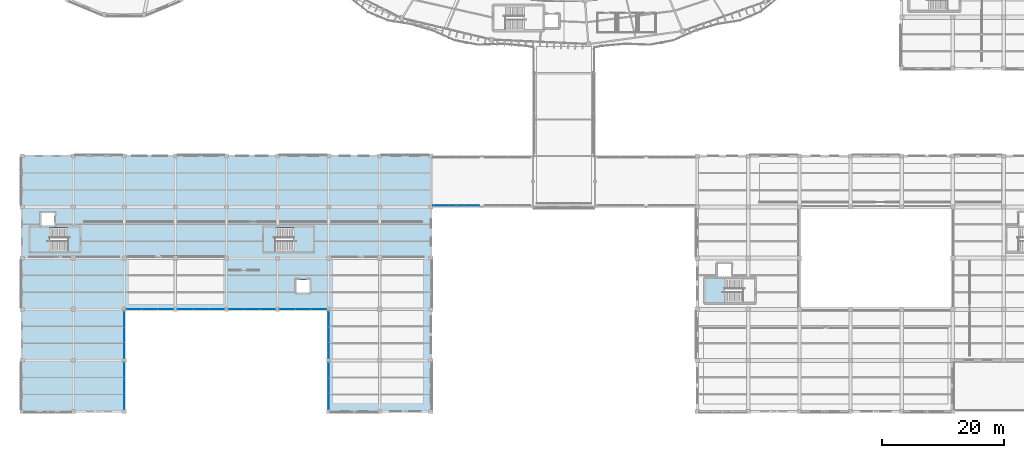
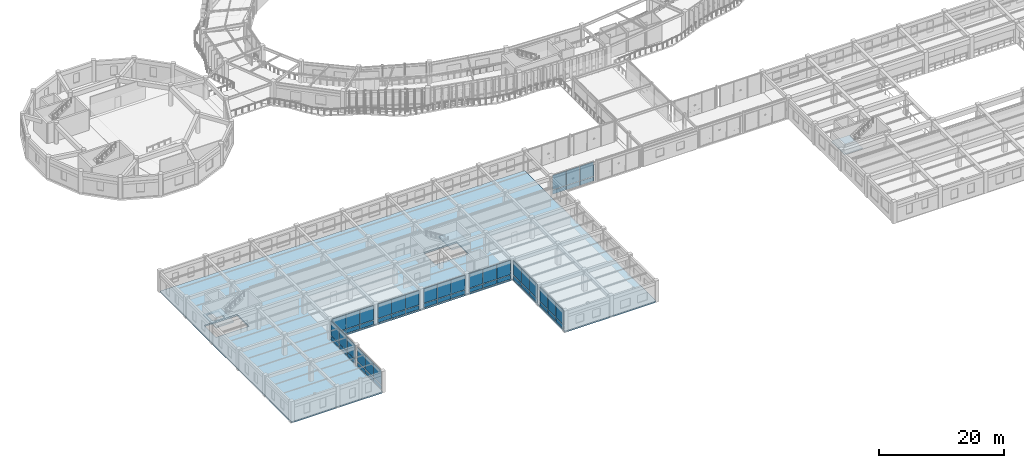
# One storey, part 111 of 152: 54 plates, 4 slabs, 12 elements without a shape of their own.
"""IFC4 building model written with IfcOpenShell, lengths in metres."""

import ifcopenshell
import ifcopenshell.guid

model = None  # the IFC model being written
_history = None  # IfcOwnerHistory: only IFC2X3 demands one
_inside = {}  # id of a spatial element -> (the spatial element, [elements in it])
_under = {}  # id of a project, library or spatial element -> (it, [spatial elements below it])
_declared = {}  # id of a project -> (the project, [libraries it declares])
_typed = {}  # id of a type object -> (the type object, [elements of that type])
_made_of = {}  # id of a material, layer set ... -> (it, [elements and type objects made of it])


def new_model(schema):
    """Start an empty IFC model of exactly this schema.

    Asked for "IFC4X3", IfcOpenShell would pick the latest addendum, in which some entities
    have other attributes; the version numbers below select the first issue.
    IFC2X3 requires an IfcOwnerHistory on every rooted entity: one is made here for all.
    """
    global model, _history
    if schema == "IFC4X3":
        model = ifcopenshell.file(schema_version=(4, 3, 0, 0))
    else:
        model = ifcopenshell.file(schema=schema)
    _inside.clear()
    _under.clear()
    _declared.clear()
    _typed.clear()
    _made_of.clear()
    _history = None
    if model.schema == "IFC2X3":
        org = make("IfcOrganization", Name="unknown")
        user = make(
            "IfcPersonAndOrganization",
            ThePerson=make("IfcPerson", FamilyName="unknown"),
            TheOrganization=org,
        )
        app = make(
            "IfcApplication",
            ApplicationDeveloper=org,
            Version="unknown",
            ApplicationFullName="unknown",
            ApplicationIdentifier="unknown",
        )
        _history = make(
            "IfcOwnerHistory",
            OwningUser=user,
            OwningApplication=app,
            ChangeAction="ADDED",
            CreationDate=0,
        )
    return model


def make(cls, **values):
    """One entity of the class cls with the attributes given. An attribute that is None is left unset."""
    return model.create_entity(
        cls, **{name: value for name, value in values.items() if value is not None}
    )


def rooted(cls, **values):
    """An entity with a GlobalId (a new one), such as an element, a storey or a relation."""
    return make(cls, GlobalId=ifcopenshell.guid.new(), OwnerHistory=_history, **values)


def si_unit(unit_type, name, prefix=None):
    """IfcSIUnit, for example si_unit("LENGTHUNIT", "METRE", prefix="MILLI")."""
    return make("IfcSIUnit", UnitType=unit_type, Prefix=prefix, Name=name)


def assignment(units):
    """IfcUnitAssignment: the units of a project."""
    return None if units is None else make("IfcUnitAssignment", Units=units)


def point(xyz):
    """IfcCartesianPoint."""
    return None if xyz is None else make("IfcCartesianPoint", Coordinates=xyz)


def direction(xyz):
    """IfcDirection."""
    return None if xyz is None else make("IfcDirection", DirectionRatios=xyz)


def frame(location, z_axis=None, x_axis=None):
    """IfcAxis2Placement3D, a coordinate frame: its origin and axes. An axis left out is left unset."""
    return make(
        "IfcAxis2Placement3D",
        Location=point(location),
        Axis=direction(z_axis),
        RefDirection=direction(x_axis),
    )


def frame_2d(location, x_axis=None):
    """IfcAxis2Placement2D, a coordinate frame in the plane: its origin and x axis."""
    return make(
        "IfcAxis2Placement2D", Location=point(location), RefDirection=direction(x_axis)
    )


def origin():
    """The frame at (0, 0, 0) with its axes left unset."""
    return frame((0.0, 0.0, 0.0))


def origin_2d():
    """The frame at (0, 0) in the plane with its x axis left unset."""
    return frame_2d((0.0, 0.0))


def place(relative_to, where):
    """IfcLocalPlacement: puts the frame where relative to a parent placement (None: the world)."""
    return make(
        "IfcLocalPlacement", PlacementRelTo=relative_to, RelativePlacement=where
    )


def context(
    kind, dimensions, precision=None, world=None, true_north=None, identifier=None
):
    """IfcGeometricRepresentationContext, for example the 3D "Model" context."""
    return make(
        "IfcGeometricRepresentationContext",
        ContextIdentifier=identifier,
        ContextType=kind,
        CoordinateSpaceDimension=dimensions,
        Precision=precision,
        WorldCoordinateSystem=world,
        TrueNorth=true_north,
    )


def subcontext(parent, identifier, kind, view, scale=None):
    """IfcGeometricRepresentationSubContext, for example "Body" below "Model"."""
    return make(
        "IfcGeometricRepresentationSubContext",
        ContextIdentifier=identifier,
        ContextType=kind,
        ParentContext=parent,
        TargetScale=scale,
        TargetView=view,
    )


def project(units=None, contexts=None):
    """IfcProject with its units and contexts."""
    return rooted(
        "IfcProject",
        Name="project",
        RepresentationContexts=contexts,
        UnitsInContext=assignment(units),
    )


def spatial(cls, under=None, at=None, **own):
    """A site, building, storey or space (cls), placed at a placement, below another one or the project."""
    s = rooted(cls, ObjectPlacement=at, **own)
    if under is not None:
        _under.setdefault(under.id(), (under, []))[1].append(s)
    return s


def polyline(points):
    """IfcPolyline through the points."""
    return make("IfcPolyline", Points=[point(p) for p in points])


def profile(cls, at=None, kind="AREA", **sizes):
    """A parametric profile (cls). Its sizes go by their IFC names, for example OverallWidth=200.0."""
    return make(cls, ProfileType=kind, Position=at, **sizes)


def rectangle(**sizes):
    """IfcRectangleProfileDef."""
    return profile("IfcRectangleProfileDef", **sizes)


def outline(outer, holes=None, kind="AREA"):
    """IfcArbitraryClosedProfileDef: a profile drawn as a closed curve; with holes, ...WithVoids."""
    if holes is None:
        return make("IfcArbitraryClosedProfileDef", ProfileType=kind, OuterCurve=outer)
    return make(
        "IfcArbitraryProfileDefWithVoids",
        ProfileType=kind,
        OuterCurve=outer,
        InnerCurves=holes,
    )


def extrude(swept, where, along, depth):
    """IfcExtrudedAreaSolid: the profile swept, set in the frame where, extruded along a direction by depth."""
    return make(
        "IfcExtrudedAreaSolid",
        SweptArea=swept,
        Position=where,
        ExtrudedDirection=direction(along),
        Depth=depth,
    )


def shape(context_of_items, identifier, shape_type, items):
    """IfcShapeRepresentation: the items that make up one representation, for example the "Body"."""
    return make(
        "IfcShapeRepresentation",
        ContextOfItems=context_of_items,
        RepresentationIdentifier=identifier,
        RepresentationType=shape_type,
        Items=items,
    )


def material(Name=None, Category=None):
    """IfcMaterial."""
    return make("IfcMaterial", Name=Name, Category=Category)


def layer(
    of_material, thickness, ventilated=None, Name=None, Category=None, Priority=None
):
    """IfcMaterialLayer: one layer of a wall or slab, of a material (None: an air gap)."""
    return make(
        "IfcMaterialLayer",
        Material=of_material,
        LayerThickness=thickness,
        IsVentilated=ventilated,
        Name=Name,
        Category=Category,
        Priority=Priority,
    )


def layer_set(layers, Name=None):
    """IfcMaterialLayerSet."""
    return make("IfcMaterialLayerSet", MaterialLayers=layers, LayerSetName=Name)


def made_of(thing, what):
    """Note that an element or type object is made of a material, layer set ...; save() writes the relation."""
    if what is not None:
        _made_of.setdefault(what.id(), (what, []))[1].append(thing)
    return thing


def type_object(cls, material=None, **own):
    """A type object (cls), such as IfcWallType, which elements share."""
    return made_of(rooted(cls, **own), material)


def element(
    cls,
    number,
    at=None,
    inside=None,
    cuts=None,
    type_object=None,
    material=None,
    context=None,
    identifier="Body",
    shape_type=None,
    held_by="IfcProductDefinitionShape",
    body=None,
    shapes=None,
    **own,
):
    """One element of the class cls, such as IfcWall. Its Tag is "e" and its number.

    at: its placement. inside: the storey or other place that contains it. cuts: it is an
    opening in that element (IfcRelVoidsElement). A single representation is given by context,
    identifier, shape_type and body (its items); several are given by shapes. held_by: the class
    of the entity that holds the representations. save() writes the other relations.
    """
    e = rooted(cls, Tag="e%d" % number, ObjectPlacement=at, **own)
    if body is not None:
        shapes = [shape(context, identifier, shape_type, body)]
    if shapes is not None:
        e.Representation = make(held_by, Representations=shapes)
    if inside is not None:
        _inside.setdefault(inside.id(), (inside, []))[1].append(e)
    if cuts is not None:
        rooted(
            "IfcRelVoidsElement", RelatingBuildingElement=cuts, RelatedOpeningElement=e
        )
    if type_object is not None:
        _typed.setdefault(type_object.id(), (type_object, []))[1].append(e)
    return made_of(e, material)


def aggregate(whole, parts):
    """IfcRelAggregates: a whole, such as a stair, and the parts it consists of."""
    return rooted("IfcRelAggregates", RelatingObject=whole, RelatedObjects=parts)


def save(model, path):
    """Write the relations noted so far, then the file.

    IfcRelAggregates (storeys below a building ...), IfcRelContainedInSpatialStructure (elements
    in a storey), IfcRelDefinesByType, IfcRelAssociatesMaterial and IfcRelDeclares: one each for
    every whole, place, type object, material and project.
    """
    for whole, parts in _under.values():
        aggregate(whole, parts)
    for where, things in _inside.values():
        rooted(
            "IfcRelContainedInSpatialStructure",
            RelatedElements=things,
            RelatingStructure=where,
        )
    for kind, things in _typed.values():
        rooted("IfcRelDefinesByType", RelatedObjects=things, RelatingType=kind)
    for what, things in _made_of.values():
        rooted("IfcRelAssociatesMaterial", RelatedObjects=things, RelatingMaterial=what)
    for by, libraries in _declared.values():
        rooted("IfcRelDeclares", RelatingContext=by, RelatedDefinitions=libraries)
    model.write(path)


model = new_model("IFC4")

# Units and contexts
model_context = context("Model", 3, precision=1e-05, world=origin(), true_north=direction((0.0, 1.0)))
body_context = subcontext(model_context, "Body", "Model", "MODEL_VIEW")
ifc_project = project(units=[si_unit("LENGTHUNIT", "METRE"), si_unit("AREAUNIT", "SQUARE_METRE"), si_unit("VOLUMEUNIT", "CUBIC_METRE"), si_unit("PLANEANGLEUNIT", "RADIAN"), si_unit("MASSUNIT", "GRAM", prefix="KILO"), si_unit("THERMODYNAMICTEMPERATUREUNIT", "KELVIN"), si_unit("POWERUNIT", "WATT")], contexts=[model_context])

# Site, building, storey
site_placement = place(None, origin())
site = spatial("IfcSite", under=ifc_project, at=site_placement, CompositionType="ELEMENT")
building_placement = place(site_placement, origin())
building = spatial("IfcBuilding", under=site, at=building_placement, Name="Darbajah Civic Hall", CompositionType="ELEMENT")
storey_placement = place(building_placement, frame((0.0, 0.0, 5.39990234375)))
storey = spatial("IfcBuildingStorey", under=building, at=storey_placement, Name="L01", CompositionType="ELEMENT", Elevation=5.39990234375)

# Curtain wall, plates
ifc_material_1 = material(Name="Anodised Bronze Aluminium and Low-E Glazing", Category="aluminium")
curtain_wall_type_1 = type_object("IfcCurtainWallType", Name="Unitised Curtain Wall CW-103 7600x3950", PredefinedType="USERDEFINED", material=ifc_material_1)
curtain_wall_1_placement = place(storey_placement, origin())
curtain_wall_1 = element("IfcCurtainWall", 1, at=curtain_wall_1_placement, inside=storey, type_object=curtain_wall_type_1, Name="L01 unitised curtain wall CW-V6-SW-S-L01", ObjectType="UNITISED CURTAIN WALL", PredefinedType="USERDEFINED")
ifc_material_2 = material(Name="Low-E Solar Control Double Glazing", Category="glass")
ifc_layer_1 = layer(ifc_material_2, 0.02392578125, Name="Low-E Solar Control Double Glazing")
ifc_layer_set_1 = layer_set([ifc_layer_1], Name="Low-E Solar Control Double Glazing")
plate_type_1 = type_object("IfcPlateType", Name="Solar Double Glazing 24mm", PredefinedType="CURTAIN_PANEL", material=ifc_layer_set_1)
plate_1_placement = place(storey_placement, frame((68.86669921875, 33.85009765625, 0.10009765625), z_axis=(0.0, 0.0, 1.0), x_axis=(1.0, 0.0, 0.0)))
plate_1 = element("IfcPlate", 2, at=plate_1_placement, type_object=plate_type_1, Name="CW-V6-SW-S-L01 glazed panel 1.1", PredefinedType="CURTAIN_PANEL", context=body_context, shape_type="SweptSolid", body=[
    extrude(rectangle(XDim=2.46826171875, YDim=0.02392578125, at=origin_2d()), origin(), (0.0, 0.0, 1.0), 0.800048828125),
])
plate_2_placement = place(storey_placement, frame((68.86669921875, 33.85009765625, 1.0), z_axis=(0.0, 0.0, 1.0), x_axis=(1.0, 0.0, 0.0)))
plate_2 = element("IfcPlate", 3, at=plate_2_placement, type_object=plate_type_1, Name="CW-V6-SW-S-L01 glazed panel 1.2", PredefinedType="CURTAIN_PANEL", context=body_context, shape_type="SweptSolid", body=[
    extrude(rectangle(XDim=2.46826171875, YDim=0.02392578125, at=origin_2d()), origin(), (0.0, 0.0, 1.0), 2.830078125),
])
plate_3_placement = place(storey_placement, frame((71.39990234375, 33.85009765625, 0.10009765625), z_axis=(0.0, 0.0, 1.0), x_axis=(1.0, 0.0, 0.0)))
plate_3 = element("IfcPlate", 4, at=plate_3_placement, type_object=plate_type_1, Name="CW-V6-SW-S-L01 glazed panel 2.1", PredefinedType="CURTAIN_PANEL", context=body_context, shape_type="SweptSolid", body=[
    extrude(rectangle(XDim=2.46826171875, YDim=0.02392578125, at=origin_2d()), origin(), (0.0, 0.0, 1.0), 0.800048828125),
])
plate_4_placement = place(storey_placement, frame((71.39990234375, 33.85009765625, 1.0), z_axis=(0.0, 0.0, 1.0), x_axis=(1.0, 0.0, 0.0)))
plate_4 = element("IfcPlate", 5, at=plate_4_placement, type_object=plate_type_1, Name="CW-V6-SW-S-L01 glazed panel 2.2", PredefinedType="CURTAIN_PANEL", context=body_context, shape_type="SweptSolid", body=[
    extrude(rectangle(XDim=2.46826171875, YDim=0.02392578125, at=origin_2d()), origin(), (0.0, 0.0, 1.0), 2.830078125),
])
plate_5_placement = place(storey_placement, frame((73.933349609375, 33.85009765625, 0.10009765625), z_axis=(0.0, 0.0, 1.0), x_axis=(1.0, 0.0, 0.0)))
plate_5 = element("IfcPlate", 6, at=plate_5_placement, type_object=plate_type_1, Name="CW-V6-SW-S-L01 glazed panel 3.1", PredefinedType="CURTAIN_PANEL", context=body_context, shape_type="SweptSolid", body=[
    extrude(rectangle(XDim=2.46826171875, YDim=0.02392578125, at=origin_2d()), origin(), (0.0, 0.0, 1.0), 0.800048828125),
])
plate_6_placement = place(storey_placement, frame((73.933349609375, 33.85009765625, 1.0), z_axis=(0.0, 0.0, 1.0), x_axis=(1.0, 0.0, 0.0)))
plate_6 = element("IfcPlate", 7, at=plate_6_placement, type_object=plate_type_1, Name="CW-V6-SW-S-L01 glazed panel 3.2", PredefinedType="CURTAIN_PANEL", context=body_context, shape_type="SweptSolid", body=[
    extrude(rectangle(XDim=2.46826171875, YDim=0.02392578125, at=origin_2d()), origin(), (0.0, 0.0, 1.0), 2.830078125),
])
aggregate(curtain_wall_1, [plate_1, plate_2, plate_3, plate_4, plate_5, plate_6])

curtain_wall_type_2 = type_object("IfcCurtainWallType", Name="Unitised Curtain Wall CW-99 7700x3950", PredefinedType="USERDEFINED", material=ifc_material_1)
curtain_wall_2_placement = place(storey_placement, origin())
curtain_wall_2 = element("IfcCurtainWall", 8, at=curtain_wall_2_placement, inside=storey, type_object=curtain_wall_type_2, Name="L01 unitised curtain wall CW-V5-L01-S1-B0", ObjectType="UNITISED CURTAIN WALL", PredefinedType="USERDEFINED")
ifc_layer_2 = layer(ifc_material_2, 0.031982421875, Name="Low-E Solar Control Double Glazing")
ifc_layer_set_2 = layer_set([ifc_layer_2], Name="Low-E Solar Control Double Glazing")
plate_type_2 = type_object("IfcPlateType", Name="Solar Double Glazing 32mm", PredefinedType="CURTAIN_PANEL", material=ifc_layer_set_2)
plate_7_placement = place(storey_placement, frame((16.800048828125, 1.634521484375, 0.1201171875), z_axis=(0.0, 0.0, 1.0), x_axis=(0.0, 1.0, 0.0)))
plate_7 = element("IfcPlate", 9, at=plate_7_placement, type_object=plate_type_2, Name="CW-V5-L01-S1-B0 glazed panel 1.1", PredefinedType="CURTAIN_PANEL", context=body_context, shape_type="SweptSolid", body=[
    extrude(rectangle(XDim=2.495361328125, YDim=0.031982421875, at=origin_2d()), origin(), (0.0, 0.0, 1.0), 0.77001953125),
])
plate_8_placement = place(storey_placement, frame((16.800048828125, 1.634521484375, 1.010009765625), z_axis=(0.0, 0.0, 1.0), x_axis=(0.0, 1.0, 0.0)))
plate_8 = element("IfcPlate", 10, at=plate_8_placement, type_object=plate_type_2, Name="CW-V5-L01-S1-B0 glazed panel 1.2", PredefinedType="CURTAIN_PANEL", context=body_context, shape_type="SweptSolid", body=[
    extrude(rectangle(XDim=2.495361328125, YDim=0.031982421875, at=origin_2d()), origin(), (0.0, 0.0, 1.0), 2.81005859375),
])
plate_9_placement = place(storey_placement, frame((16.800048828125, 4.199951171875, 0.1201171875), z_axis=(0.0, 0.0, 1.0), x_axis=(0.0, 1.0, 0.0)))
plate_9 = element("IfcPlate", 11, at=plate_9_placement, type_object=plate_type_2, Name="CW-V5-L01-S1-B0 glazed panel 2.1", PredefinedType="CURTAIN_PANEL", context=body_context, shape_type="SweptSolid", body=[
    extrude(rectangle(XDim=2.495361328125, YDim=0.031982421875, at=origin_2d()), origin(), (0.0, 0.0, 1.0), 0.77001953125),
])
plate_10_placement = place(storey_placement, frame((16.800048828125, 4.199951171875, 1.010009765625), z_axis=(0.0, 0.0, 1.0), x_axis=(0.0, 1.0, 0.0)))
plate_10 = element("IfcPlate", 12, at=plate_10_placement, type_object=plate_type_2, Name="CW-V5-L01-S1-B0 glazed panel 2.2", PredefinedType="CURTAIN_PANEL", context=body_context, shape_type="SweptSolid", body=[
    extrude(rectangle(XDim=2.495361328125, YDim=0.031982421875, at=origin_2d()), origin(), (0.0, 0.0, 1.0), 2.81005859375),
])
plate_11_placement = place(storey_placement, frame((16.800048828125, 6.765380859375, 0.1201171875), z_axis=(0.0, 0.0, 1.0), x_axis=(0.0, 1.0, 0.0)))
plate_11 = element("IfcPlate", 13, at=plate_11_placement, type_object=plate_type_2, Name="CW-V5-L01-S1-B0 glazed panel 3.1", PredefinedType="CURTAIN_PANEL", context=body_context, shape_type="SweptSolid", body=[
    extrude(rectangle(XDim=2.495361328125, YDim=0.031982421875, at=origin_2d()), origin(), (0.0, 0.0, 1.0), 0.77001953125),
])
plate_12_placement = place(storey_placement, frame((16.800048828125, 6.765380859375, 1.010009765625), z_axis=(0.0, 0.0, 1.0), x_axis=(0.0, 1.0, 0.0)))
plate_12 = element("IfcPlate", 14, at=plate_12_placement, type_object=plate_type_2, Name="CW-V5-L01-S1-B0 glazed panel 3.2", PredefinedType="CURTAIN_PANEL", context=body_context, shape_type="SweptSolid", body=[
    extrude(rectangle(XDim=2.495361328125, YDim=0.031982421875, at=origin_2d()), origin(), (0.0, 0.0, 1.0), 2.81005859375),
])
aggregate(curtain_wall_2, [plate_7, plate_8, plate_9, plate_10, plate_11, plate_12])

curtain_wall_3_placement = place(storey_placement, origin())
curtain_wall_3 = element("IfcCurtainWall", 15, at=curtain_wall_3_placement, inside=storey, type_object=curtain_wall_type_2, Name="L01 unitised curtain wall CW-V5-L01-S1-B1", ObjectType="UNITISED CURTAIN WALL", PredefinedType="USERDEFINED")
plate_13_placement = place(storey_placement, frame((16.800048828125, 10.03466796875, 0.1201171875), z_axis=(0.0, 0.0, 1.0), x_axis=(0.0, 1.0, 0.0)))
plate_13 = element("IfcPlate", 16, at=plate_13_placement, type_object=plate_type_2, Name="CW-V5-L01-S1-B1 glazed panel 1.1", PredefinedType="CURTAIN_PANEL", context=body_context, shape_type="SweptSolid", body=[
    extrude(rectangle(XDim=2.495361328125, YDim=0.031982421875, at=origin_2d()), origin(), (0.0, 0.0, 1.0), 0.77001953125),
])
plate_14_placement = place(storey_placement, frame((16.800048828125, 10.03466796875, 1.010009765625), z_axis=(0.0, 0.0, 1.0), x_axis=(0.0, 1.0, 0.0)))
plate_14 = element("IfcPlate", 17, at=plate_14_placement, type_object=plate_type_2, Name="CW-V5-L01-S1-B1 glazed panel 1.2", PredefinedType="CURTAIN_PANEL", context=body_context, shape_type="SweptSolid", body=[
    extrude(rectangle(XDim=2.495361328125, YDim=0.031982421875, at=origin_2d()), origin(), (0.0, 0.0, 1.0), 2.81005859375),
])
plate_15_placement = place(storey_placement, frame((16.800048828125, 12.60009765625, 0.1201171875), z_axis=(0.0, 0.0, 1.0), x_axis=(0.0, 1.0, 0.0)))
plate_15 = element("IfcPlate", 18, at=plate_15_placement, type_object=plate_type_2, Name="CW-V5-L01-S1-B1 glazed panel 2.1", PredefinedType="CURTAIN_PANEL", context=body_context, shape_type="SweptSolid", body=[
    extrude(rectangle(XDim=2.495361328125, YDim=0.031982421875, at=origin_2d()), origin(), (0.0, 0.0, 1.0), 0.77001953125),
])
plate_16_placement = place(storey_placement, frame((16.800048828125, 12.60009765625, 1.010009765625), z_axis=(0.0, 0.0, 1.0), x_axis=(0.0, 1.0, 0.0)))
plate_16 = element("IfcPlate", 19, at=plate_16_placement, type_object=plate_type_2, Name="CW-V5-L01-S1-B1 glazed panel 2.2", PredefinedType="CURTAIN_PANEL", context=body_context, shape_type="SweptSolid", body=[
    extrude(rectangle(XDim=2.495361328125, YDim=0.031982421875, at=origin_2d()), origin(), (0.0, 0.0, 1.0), 2.81005859375),
])
plate_17_placement = place(storey_placement, frame((16.800048828125, 15.165283203125, 0.1201171875), z_axis=(0.0, 0.0, 1.0), x_axis=(0.0, 1.0, 0.0)))
plate_17 = element("IfcPlate", 20, at=plate_17_placement, type_object=plate_type_2, Name="CW-V5-L01-S1-B1 glazed panel 3.1", PredefinedType="CURTAIN_PANEL", context=body_context, shape_type="SweptSolid", body=[
    extrude(rectangle(XDim=2.495361328125, YDim=0.031982421875, at=origin_2d()), origin(), (0.0, 0.0, 1.0), 0.77001953125),
])
plate_18_placement = place(storey_placement, frame((16.800048828125, 15.165283203125, 1.010009765625), z_axis=(0.0, 0.0, 1.0), x_axis=(0.0, 1.0, 0.0)))
plate_18 = element("IfcPlate", 21, at=plate_18_placement, type_object=plate_type_2, Name="CW-V5-L01-S1-B1 glazed panel 3.2", PredefinedType="CURTAIN_PANEL", context=body_context, shape_type="SweptSolid", body=[
    extrude(rectangle(XDim=2.495361328125, YDim=0.031982421875, at=origin_2d()), origin(), (0.0, 0.0, 1.0), 2.81005859375),
])
aggregate(curtain_wall_3, [plate_13, plate_14, plate_15, plate_16, plate_17, plate_18])

curtain_wall_4_placement = place(storey_placement, origin())
curtain_wall_4 = element("IfcCurtainWall", 22, at=curtain_wall_4_placement, inside=storey, type_object=curtain_wall_type_2, Name="L01 unitised curtain wall CW-V5-L01-S2-B0", ObjectType="UNITISED CURTAIN WALL", PredefinedType="USERDEFINED")
plate_19_placement = place(storey_placement, frame((18.434814453125, 16.800048828125, 0.1201171875), z_axis=(0.0, 0.0, 1.0), x_axis=(1.0, 0.0, 0.0)))
plate_19 = element("IfcPlate", 23, at=plate_19_placement, type_object=plate_type_2, Name="CW-V5-L01-S2-B0 glazed panel 1.1", PredefinedType="CURTAIN_PANEL", context=body_context, shape_type="SweptSolid", body=[
    extrude(rectangle(XDim=2.495361328125, YDim=0.031982421875, at=origin_2d()), origin(), (0.0, 0.0, 1.0), 0.77001953125),
])
plate_20_placement = place(storey_placement, frame((18.434814453125, 16.800048828125, 1.010009765625), z_axis=(0.0, 0.0, 1.0), x_axis=(1.0, 0.0, 0.0)))
plate_20 = element("IfcPlate", 24, at=plate_20_placement, type_object=plate_type_2, Name="CW-V5-L01-S2-B0 glazed panel 1.2", PredefinedType="CURTAIN_PANEL", context=body_context, shape_type="SweptSolid", body=[
    extrude(rectangle(XDim=2.495361328125, YDim=0.031982421875, at=origin_2d()), origin(), (0.0, 0.0, 1.0), 2.81005859375),
])
plate_21_placement = place(storey_placement, frame((21.0, 16.800048828125, 0.1201171875), z_axis=(0.0, 0.0, 1.0), x_axis=(1.0, 0.0, 0.0)))
plate_21 = element("IfcPlate", 25, at=plate_21_placement, type_object=plate_type_2, Name="CW-V5-L01-S2-B0 glazed panel 2.1", PredefinedType="CURTAIN_PANEL", context=body_context, shape_type="SweptSolid", body=[
    extrude(rectangle(XDim=2.495361328125, YDim=0.031982421875, at=origin_2d()), origin(), (0.0, 0.0, 1.0), 0.77001953125),
])
plate_22_placement = place(storey_placement, frame((21.0, 16.800048828125, 1.010009765625), z_axis=(0.0, 0.0, 1.0), x_axis=(1.0, 0.0, 0.0)))
plate_22 = element("IfcPlate", 26, at=plate_22_placement, type_object=plate_type_2, Name="CW-V5-L01-S2-B0 glazed panel 2.2", PredefinedType="CURTAIN_PANEL", context=body_context, shape_type="SweptSolid", body=[
    extrude(rectangle(XDim=2.495361328125, YDim=0.031982421875, at=origin_2d()), origin(), (0.0, 0.0, 1.0), 2.81005859375),
])
plate_23_placement = place(storey_placement, frame((23.565185546875, 16.800048828125, 0.1201171875), z_axis=(0.0, 0.0, 1.0), x_axis=(1.0, 0.0, 0.0)))
plate_23 = element("IfcPlate", 27, at=plate_23_placement, type_object=plate_type_2, Name="CW-V5-L01-S2-B0 glazed panel 3.1", PredefinedType="CURTAIN_PANEL", context=body_context, shape_type="SweptSolid", body=[
    extrude(rectangle(XDim=2.495361328125, YDim=0.031982421875, at=origin_2d()), origin(), (0.0, 0.0, 1.0), 0.77001953125),
])
plate_24_placement = place(storey_placement, frame((23.565185546875, 16.800048828125, 1.010009765625), z_axis=(0.0, 0.0, 1.0), x_axis=(1.0, 0.0, 0.0)))
plate_24 = element("IfcPlate", 28, at=plate_24_placement, type_object=plate_type_2, Name="CW-V5-L01-S2-B0 glazed panel 3.2", PredefinedType="CURTAIN_PANEL", context=body_context, shape_type="SweptSolid", body=[
    extrude(rectangle(XDim=2.495361328125, YDim=0.031982421875, at=origin_2d()), origin(), (0.0, 0.0, 1.0), 2.81005859375),
])
aggregate(curtain_wall_4, [plate_19, plate_20, plate_21, plate_22, plate_23, plate_24])

curtain_wall_5_placement = place(storey_placement, origin())
curtain_wall_5 = element("IfcCurtainWall", 29, at=curtain_wall_5_placement, inside=storey, type_object=curtain_wall_type_2, Name="L01 unitised curtain wall CW-V5-L01-S2-B1", ObjectType="UNITISED CURTAIN WALL", PredefinedType="USERDEFINED")
plate_25_placement = place(storey_placement, frame((26.834716796875, 16.800048828125, 0.1201171875), z_axis=(0.0, 0.0, 1.0), x_axis=(1.0, 0.0, 0.0)))
plate_25 = element("IfcPlate", 30, at=plate_25_placement, type_object=plate_type_2, Name="CW-V5-L01-S2-B1 glazed panel 1.1", PredefinedType="CURTAIN_PANEL", context=body_context, shape_type="SweptSolid", body=[
    extrude(rectangle(XDim=2.495361328125, YDim=0.031982421875, at=origin_2d()), origin(), (0.0, 0.0, 1.0), 0.77001953125),
])
plate_26_placement = place(storey_placement, frame((26.834716796875, 16.800048828125, 1.010009765625), z_axis=(0.0, 0.0, 1.0), x_axis=(1.0, 0.0, 0.0)))
plate_26 = element("IfcPlate", 31, at=plate_26_placement, type_object=plate_type_2, Name="CW-V5-L01-S2-B1 glazed panel 1.2", PredefinedType="CURTAIN_PANEL", context=body_context, shape_type="SweptSolid", body=[
    extrude(rectangle(XDim=2.495361328125, YDim=0.031982421875, at=origin_2d()), origin(), (0.0, 0.0, 1.0), 2.81005859375),
])
plate_27_placement = place(storey_placement, frame((29.39990234375, 16.800048828125, 0.1201171875), z_axis=(0.0, 0.0, 1.0), x_axis=(1.0, 0.0, 0.0)))
plate_27 = element("IfcPlate", 32, at=plate_27_placement, type_object=plate_type_2, Name="CW-V5-L01-S2-B1 glazed panel 2.1", PredefinedType="CURTAIN_PANEL", context=body_context, shape_type="SweptSolid", body=[
    extrude(rectangle(XDim=2.495361328125, YDim=0.031982421875, at=origin_2d()), origin(), (0.0, 0.0, 1.0), 0.77001953125),
])
plate_28_placement = place(storey_placement, frame((29.39990234375, 16.800048828125, 1.010009765625), z_axis=(0.0, 0.0, 1.0), x_axis=(1.0, 0.0, 0.0)))
plate_28 = element("IfcPlate", 33, at=plate_28_placement, type_object=plate_type_2, Name="CW-V5-L01-S2-B1 glazed panel 2.2", PredefinedType="CURTAIN_PANEL", context=body_context, shape_type="SweptSolid", body=[
    extrude(rectangle(XDim=2.495361328125, YDim=0.031982421875, at=origin_2d()), origin(), (0.0, 0.0, 1.0), 2.81005859375),
])
plate_29_placement = place(storey_placement, frame((31.96533203125, 16.800048828125, 0.1201171875), z_axis=(0.0, 0.0, 1.0), x_axis=(1.0, 0.0, 0.0)))
plate_29 = element("IfcPlate", 34, at=plate_29_placement, type_object=plate_type_2, Name="CW-V5-L01-S2-B1 glazed panel 3.1", PredefinedType="CURTAIN_PANEL", context=body_context, shape_type="SweptSolid", body=[
    extrude(rectangle(XDim=2.495361328125, YDim=0.031982421875, at=origin_2d()), origin(), (0.0, 0.0, 1.0), 0.77001953125),
])
plate_30_placement = place(storey_placement, frame((31.96533203125, 16.800048828125, 1.010009765625), z_axis=(0.0, 0.0, 1.0), x_axis=(1.0, 0.0, 0.0)))
plate_30 = element("IfcPlate", 35, at=plate_30_placement, type_object=plate_type_2, Name="CW-V5-L01-S2-B1 glazed panel 3.2", PredefinedType="CURTAIN_PANEL", context=body_context, shape_type="SweptSolid", body=[
    extrude(rectangle(XDim=2.495361328125, YDim=0.031982421875, at=origin_2d()), origin(), (0.0, 0.0, 1.0), 2.81005859375),
])
aggregate(curtain_wall_5, [plate_25, plate_26, plate_27, plate_28, plate_29, plate_30])

curtain_wall_6_placement = place(storey_placement, origin())
curtain_wall_6 = element("IfcCurtainWall", 36, at=curtain_wall_6_placement, inside=storey, type_object=curtain_wall_type_2, Name="L01 unitised curtain wall CW-V5-L01-S2-B2", ObjectType="UNITISED CURTAIN WALL", PredefinedType="USERDEFINED")
plate_31_placement = place(storey_placement, frame((35.234619140625, 16.800048828125, 0.1201171875), z_axis=(0.0, 0.0, 1.0), x_axis=(1.0, 0.0, 0.0)))
plate_31 = element("IfcPlate", 37, at=plate_31_placement, type_object=plate_type_2, Name="CW-V5-L01-S2-B2 glazed panel 1.1", PredefinedType="CURTAIN_PANEL", context=body_context, shape_type="SweptSolid", body=[
    extrude(rectangle(XDim=2.495361328125, YDim=0.031982421875, at=origin_2d()), origin(), (0.0, 0.0, 1.0), 0.77001953125),
])
plate_32_placement = place(storey_placement, frame((35.234619140625, 16.800048828125, 1.010009765625), z_axis=(0.0, 0.0, 1.0), x_axis=(1.0, 0.0, 0.0)))
plate_32 = element("IfcPlate", 38, at=plate_32_placement, type_object=plate_type_2, Name="CW-V5-L01-S2-B2 glazed panel 1.2", PredefinedType="CURTAIN_PANEL", context=body_context, shape_type="SweptSolid", body=[
    extrude(rectangle(XDim=2.495361328125, YDim=0.031982421875, at=origin_2d()), origin(), (0.0, 0.0, 1.0), 2.81005859375),
])
plate_33_placement = place(storey_placement, frame((37.800048828125, 16.800048828125, 0.1201171875), z_axis=(0.0, 0.0, 1.0), x_axis=(1.0, 0.0, 0.0)))
plate_33 = element("IfcPlate", 39, at=plate_33_placement, type_object=plate_type_2, Name="CW-V5-L01-S2-B2 glazed panel 2.1", PredefinedType="CURTAIN_PANEL", context=body_context, shape_type="SweptSolid", body=[
    extrude(rectangle(XDim=2.495361328125, YDim=0.031982421875, at=origin_2d()), origin(), (0.0, 0.0, 1.0), 0.77001953125),
])
plate_34_placement = place(storey_placement, frame((37.800048828125, 16.800048828125, 1.010009765625), z_axis=(0.0, 0.0, 1.0), x_axis=(1.0, 0.0, 0.0)))
plate_34 = element("IfcPlate", 40, at=plate_34_placement, type_object=plate_type_2, Name="CW-V5-L01-S2-B2 glazed panel 2.2", PredefinedType="CURTAIN_PANEL", context=body_context, shape_type="SweptSolid", body=[
    extrude(rectangle(XDim=2.495361328125, YDim=0.031982421875, at=origin_2d()), origin(), (0.0, 0.0, 1.0), 2.81005859375),
])
plate_35_placement = place(storey_placement, frame((40.365234375, 16.800048828125, 0.1201171875), z_axis=(0.0, 0.0, 1.0), x_axis=(1.0, 0.0, 0.0)))
plate_35 = element("IfcPlate", 41, at=plate_35_placement, type_object=plate_type_2, Name="CW-V5-L01-S2-B2 glazed panel 3.1", PredefinedType="CURTAIN_PANEL", context=body_context, shape_type="SweptSolid", body=[
    extrude(rectangle(XDim=2.495361328125, YDim=0.031982421875, at=origin_2d()), origin(), (0.0, 0.0, 1.0), 0.77001953125),
])
plate_36_placement = place(storey_placement, frame((40.365234375, 16.800048828125, 1.010009765625), z_axis=(0.0, 0.0, 1.0), x_axis=(1.0, 0.0, 0.0)))
plate_36 = element("IfcPlate", 42, at=plate_36_placement, type_object=plate_type_2, Name="CW-V5-L01-S2-B2 glazed panel 3.2", PredefinedType="CURTAIN_PANEL", context=body_context, shape_type="SweptSolid", body=[
    extrude(rectangle(XDim=2.495361328125, YDim=0.031982421875, at=origin_2d()), origin(), (0.0, 0.0, 1.0), 2.81005859375),
])
aggregate(curtain_wall_6, [plate_31, plate_32, plate_33, plate_34, plate_35, plate_36])

curtain_wall_7_placement = place(storey_placement, origin())
curtain_wall_7 = element("IfcCurtainWall", 43, at=curtain_wall_7_placement, inside=storey, type_object=curtain_wall_type_2, Name="L01 unitised curtain wall CW-V5-L01-S2-B3", ObjectType="UNITISED CURTAIN WALL", PredefinedType="USERDEFINED")
plate_37_placement = place(storey_placement, frame((43.634765625, 16.800048828125, 0.1201171875), z_axis=(0.0, 0.0, 1.0), x_axis=(1.0, 0.0, 0.0)))
plate_37 = element("IfcPlate", 44, at=plate_37_placement, type_object=plate_type_2, Name="CW-V5-L01-S2-B3 glazed panel 1.1", PredefinedType="CURTAIN_PANEL", context=body_context, shape_type="SweptSolid", body=[
    extrude(rectangle(XDim=2.495361328125, YDim=0.031982421875, at=origin_2d()), origin(), (0.0, 0.0, 1.0), 0.77001953125),
])
plate_38_placement = place(storey_placement, frame((43.634765625, 16.800048828125, 1.010009765625), z_axis=(0.0, 0.0, 1.0), x_axis=(1.0, 0.0, 0.0)))
plate_38 = element("IfcPlate", 45, at=plate_38_placement, type_object=plate_type_2, Name="CW-V5-L01-S2-B3 glazed panel 1.2", PredefinedType="CURTAIN_PANEL", context=body_context, shape_type="SweptSolid", body=[
    extrude(rectangle(XDim=2.495361328125, YDim=0.031982421875, at=origin_2d()), origin(), (0.0, 0.0, 1.0), 2.81005859375),
])
plate_39_placement = place(storey_placement, frame((46.199951171875, 16.800048828125, 0.1201171875), z_axis=(0.0, 0.0, 1.0), x_axis=(1.0, 0.0, 0.0)))
plate_39 = element("IfcPlate", 46, at=plate_39_placement, type_object=plate_type_2, Name="CW-V5-L01-S2-B3 glazed panel 2.1", PredefinedType="CURTAIN_PANEL", context=body_context, shape_type="SweptSolid", body=[
    extrude(rectangle(XDim=2.495361328125, YDim=0.031982421875, at=origin_2d()), origin(), (0.0, 0.0, 1.0), 0.77001953125),
])
plate_40_placement = place(storey_placement, frame((46.199951171875, 16.800048828125, 1.010009765625), z_axis=(0.0, 0.0, 1.0), x_axis=(1.0, 0.0, 0.0)))
plate_40 = element("IfcPlate", 47, at=plate_40_placement, type_object=plate_type_2, Name="CW-V5-L01-S2-B3 glazed panel 2.2", PredefinedType="CURTAIN_PANEL", context=body_context, shape_type="SweptSolid", body=[
    extrude(rectangle(XDim=2.495361328125, YDim=0.031982421875, at=origin_2d()), origin(), (0.0, 0.0, 1.0), 2.81005859375),
])
plate_41_placement = place(storey_placement, frame((48.765380859375, 16.800048828125, 0.1201171875), z_axis=(0.0, 0.0, 1.0), x_axis=(1.0, 0.0, 0.0)))
plate_41 = element("IfcPlate", 48, at=plate_41_placement, type_object=plate_type_2, Name="CW-V5-L01-S2-B3 glazed panel 3.1", PredefinedType="CURTAIN_PANEL", context=body_context, shape_type="SweptSolid", body=[
    extrude(rectangle(XDim=2.495361328125, YDim=0.031982421875, at=origin_2d()), origin(), (0.0, 0.0, 1.0), 0.77001953125),
])
plate_42_placement = place(storey_placement, frame((48.765380859375, 16.800048828125, 1.010009765625), z_axis=(0.0, 0.0, 1.0), x_axis=(1.0, 0.0, 0.0)))
plate_42 = element("IfcPlate", 49, at=plate_42_placement, type_object=plate_type_2, Name="CW-V5-L01-S2-B3 glazed panel 3.2", PredefinedType="CURTAIN_PANEL", context=body_context, shape_type="SweptSolid", body=[
    extrude(rectangle(XDim=2.495361328125, YDim=0.031982421875, at=origin_2d()), origin(), (0.0, 0.0, 1.0), 2.81005859375),
])
aggregate(curtain_wall_7, [plate_37, plate_38, plate_39, plate_40, plate_41, plate_42])

curtain_wall_8_placement = place(storey_placement, origin())
curtain_wall_8 = element("IfcCurtainWall", 50, at=curtain_wall_8_placement, inside=storey, type_object=curtain_wall_type_2, Name="L01 unitised curtain wall CW-V5-L01-S3-B0", ObjectType="UNITISED CURTAIN WALL", PredefinedType="USERDEFINED")
plate_43_placement = place(storey_placement, frame((50.39990234375, 15.165283203125, 0.1201171875), z_axis=(0.0, 0.0, 1.0), x_axis=(0.0, -1.0, 0.0)))
plate_43 = element("IfcPlate", 51, at=plate_43_placement, type_object=plate_type_2, Name="CW-V5-L01-S3-B0 glazed panel 1.1", PredefinedType="CURTAIN_PANEL", context=body_context, shape_type="SweptSolid", body=[
    extrude(rectangle(XDim=2.495361328125, YDim=0.031982421875, at=origin_2d()), origin(), (0.0, 0.0, 1.0), 0.77001953125),
])
plate_44_placement = place(storey_placement, frame((50.39990234375, 15.165283203125, 1.010009765625), z_axis=(0.0, 0.0, 1.0), x_axis=(0.0, -1.0, 0.0)))
plate_44 = element("IfcPlate", 52, at=plate_44_placement, type_object=plate_type_2, Name="CW-V5-L01-S3-B0 glazed panel 1.2", PredefinedType="CURTAIN_PANEL", context=body_context, shape_type="SweptSolid", body=[
    extrude(rectangle(XDim=2.495361328125, YDim=0.031982421875, at=origin_2d()), origin(), (0.0, 0.0, 1.0), 2.81005859375),
])
plate_45_placement = place(storey_placement, frame((50.39990234375, 12.60009765625, 0.1201171875), z_axis=(0.0, 0.0, 1.0), x_axis=(0.0, -1.0, 0.0)))
plate_45 = element("IfcPlate", 53, at=plate_45_placement, type_object=plate_type_2, Name="CW-V5-L01-S3-B0 glazed panel 2.1", PredefinedType="CURTAIN_PANEL", context=body_context, shape_type="SweptSolid", body=[
    extrude(rectangle(XDim=2.495361328125, YDim=0.031982421875, at=origin_2d()), origin(), (0.0, 0.0, 1.0), 0.77001953125),
])
plate_46_placement = place(storey_placement, frame((50.39990234375, 12.60009765625, 1.010009765625), z_axis=(0.0, 0.0, 1.0), x_axis=(0.0, -1.0, 0.0)))
plate_46 = element("IfcPlate", 54, at=plate_46_placement, type_object=plate_type_2, Name="CW-V5-L01-S3-B0 glazed panel 2.2", PredefinedType="CURTAIN_PANEL", context=body_context, shape_type="SweptSolid", body=[
    extrude(rectangle(XDim=2.495361328125, YDim=0.031982421875, at=origin_2d()), origin(), (0.0, 0.0, 1.0), 2.81005859375),
])
plate_47_placement = place(storey_placement, frame((50.39990234375, 10.03466796875, 0.1201171875), z_axis=(0.0, 0.0, 1.0), x_axis=(0.0, -1.0, 0.0)))
plate_47 = element("IfcPlate", 55, at=plate_47_placement, type_object=plate_type_2, Name="CW-V5-L01-S3-B0 glazed panel 3.1", PredefinedType="CURTAIN_PANEL", context=body_context, shape_type="SweptSolid", body=[
    extrude(rectangle(XDim=2.495361328125, YDim=0.031982421875, at=origin_2d()), origin(), (0.0, 0.0, 1.0), 0.77001953125),
])
plate_48_placement = place(storey_placement, frame((50.39990234375, 10.03466796875, 1.010009765625), z_axis=(0.0, 0.0, 1.0), x_axis=(0.0, -1.0, 0.0)))
plate_48 = element("IfcPlate", 56, at=plate_48_placement, type_object=plate_type_2, Name="CW-V5-L01-S3-B0 glazed panel 3.2", PredefinedType="CURTAIN_PANEL", context=body_context, shape_type="SweptSolid", body=[
    extrude(rectangle(XDim=2.495361328125, YDim=0.031982421875, at=origin_2d()), origin(), (0.0, 0.0, 1.0), 2.81005859375),
])
aggregate(curtain_wall_8, [plate_43, plate_44, plate_45, plate_46, plate_47, plate_48])

curtain_wall_9_placement = place(storey_placement, origin())
curtain_wall_9 = element("IfcCurtainWall", 57, at=curtain_wall_9_placement, inside=storey, type_object=curtain_wall_type_2, Name="L01 unitised curtain wall CW-V5-L01-S3-B1", ObjectType="UNITISED CURTAIN WALL", PredefinedType="USERDEFINED")
plate_49_placement = place(storey_placement, frame((50.39990234375, 6.765380859375, 0.1201171875), z_axis=(0.0, 0.0, 1.0), x_axis=(0.0, -1.0, 0.0)))
plate_49 = element("IfcPlate", 58, at=plate_49_placement, type_object=plate_type_2, Name="CW-V5-L01-S3-B1 glazed panel 1.1", PredefinedType="CURTAIN_PANEL", context=body_context, shape_type="SweptSolid", body=[
    extrude(rectangle(XDim=2.495361328125, YDim=0.031982421875, at=origin_2d()), origin(), (0.0, 0.0, 1.0), 0.77001953125),
])
plate_50_placement = place(storey_placement, frame((50.39990234375, 6.765380859375, 1.010009765625), z_axis=(0.0, 0.0, 1.0), x_axis=(0.0, -1.0, 0.0)))
plate_50 = element("IfcPlate", 59, at=plate_50_placement, type_object=plate_type_2, Name="CW-V5-L01-S3-B1 glazed panel 1.2", PredefinedType="CURTAIN_PANEL", context=body_context, shape_type="SweptSolid", body=[
    extrude(rectangle(XDim=2.495361328125, YDim=0.031982421875, at=origin_2d()), origin(), (0.0, 0.0, 1.0), 2.81005859375),
])
plate_51_placement = place(storey_placement, frame((50.39990234375, 4.199951171875, 0.1201171875), z_axis=(0.0, 0.0, 1.0), x_axis=(0.0, -1.0, 0.0)))
plate_51 = element("IfcPlate", 60, at=plate_51_placement, type_object=plate_type_2, Name="CW-V5-L01-S3-B1 glazed panel 2.1", PredefinedType="CURTAIN_PANEL", context=body_context, shape_type="SweptSolid", body=[
    extrude(rectangle(XDim=2.495361328125, YDim=0.031982421875, at=origin_2d()), origin(), (0.0, 0.0, 1.0), 0.77001953125),
])
plate_52_placement = place(storey_placement, frame((50.39990234375, 4.199951171875, 1.010009765625), z_axis=(0.0, 0.0, 1.0), x_axis=(0.0, -1.0, 0.0)))
plate_52 = element("IfcPlate", 61, at=plate_52_placement, type_object=plate_type_2, Name="CW-V5-L01-S3-B1 glazed panel 2.2", PredefinedType="CURTAIN_PANEL", context=body_context, shape_type="SweptSolid", body=[
    extrude(rectangle(XDim=2.495361328125, YDim=0.031982421875, at=origin_2d()), origin(), (0.0, 0.0, 1.0), 2.81005859375),
])
plate_53_placement = place(storey_placement, frame((50.39990234375, 1.634521484375, 0.1201171875), z_axis=(0.0, 0.0, 1.0), x_axis=(0.0, -1.0, 0.0)))
plate_53 = element("IfcPlate", 62, at=plate_53_placement, type_object=plate_type_2, Name="CW-V5-L01-S3-B1 glazed panel 3.1", PredefinedType="CURTAIN_PANEL", context=body_context, shape_type="SweptSolid", body=[
    extrude(rectangle(XDim=2.495361328125, YDim=0.031982421875, at=origin_2d()), origin(), (0.0, 0.0, 1.0), 0.77001953125),
])
plate_54_placement = place(storey_placement, frame((50.39990234375, 1.634521484375, 1.010009765625), z_axis=(0.0, 0.0, 1.0), x_axis=(0.0, -1.0, 0.0)))
plate_54 = element("IfcPlate", 63, at=plate_54_placement, type_object=plate_type_2, Name="CW-V5-L01-S3-B1 glazed panel 3.2", PredefinedType="CURTAIN_PANEL", context=body_context, shape_type="SweptSolid", body=[
    extrude(rectangle(XDim=2.495361328125, YDim=0.031982421875, at=origin_2d()), origin(), (0.0, 0.0, 1.0), 2.81005859375),
])
aggregate(curtain_wall_9, [plate_49, plate_50, plate_51, plate_52, plate_53, plate_54])

# Stair, slab
ifc_material_3 = material(Name="Concrete C45/55", Category="concrete")
stair_type = type_object("IfcStairType", Name="Half Turn Stair 1650x4200", PredefinedType="HALF_TURN_STAIR", material=ifc_material_3)
stair_1_placement = place(storey_placement, origin())
stair_1 = element("IfcStair", 64, at=stair_1_placement, inside=storey, type_object=stair_type, Name="L01 enclosed exit stair ST06", PredefinedType="HALF_TURN_STAIR")
ifc_layer_3 = layer(ifc_material_3, 0.199951171875, Name="Concrete C45/55")
ifc_layer_set_3 = layer_set([ifc_layer_3], Name="Concrete C45/55")
slab_type_1 = type_object("IfcSlabType", Name="Stair Landing Slab 200mm", PredefinedType="LANDING", material=ifc_layer_set_3)
slab_1_placement = place(storey_placement, frame((0.0, 0.0, 1.900146484375)))
slab_1 = element("IfcSlab", 65, at=slab_1_placement, type_object=slab_type_1, Name="ST06 L01 half-landing", PredefinedType="LANDING", context=body_context, shape_type="SweptSolid", body=[
    extrude(outline(polyline([(112.199951171875, 17.800048828125), (115.56005859375, 17.800048828125), (115.56005859375, 22.0), (112.199951171875, 22.0), (112.199951171875, 17.800048828125)])), origin(), (0.0, 0.0, 1.0), 0.199951171875),
])
aggregate(stair_1, [slab_1])

stair_2_placement = place(storey_placement, origin())
stair_2 = element("IfcStair", 66, at=stair_2_placement, inside=storey, type_object=stair_type, Name="L01 enclosed exit stair ST10", PredefinedType="HALF_TURN_STAIR")
slab_2_placement = place(storey_placement, frame((0.0, 0.0, 1.900146484375)))
slab_2 = element("IfcSlab", 67, at=slab_2_placement, type_object=slab_type_1, Name="ST10 L01 half-landing", PredefinedType="LANDING", context=body_context, shape_type="SweptSolid", body=[
    extrude(outline(polyline([(1.199951171875, 26.199951171875), (4.56005859375, 26.199951171875), (4.56005859375, 30.39990234375), (1.199951171875, 30.39990234375), (1.199951171875, 26.199951171875)])), origin(), (0.0, 0.0, 1.0), 0.199951171875),
])
aggregate(stair_2, [slab_2])

stair_3_placement = place(storey_placement, origin())
stair_3 = element("IfcStair", 68, at=stair_3_placement, inside=storey, type_object=stair_type, Name="L01 enclosed exit stair ST11", PredefinedType="HALF_TURN_STAIR")
slab_3_placement = place(storey_placement, frame((0.0, 0.0, 1.900146484375)))
slab_3 = element("IfcSlab", 69, at=slab_3_placement, type_object=slab_type_1, Name="ST11 L01 half-landing", PredefinedType="LANDING", context=body_context, shape_type="SweptSolid", body=[
    extrude(outline(polyline([(44.639892578125, 26.199951171875), (48.0, 26.199951171875), (48.0, 30.39990234375), (44.639892578125, 30.39990234375), (44.639892578125, 26.199951171875)])), origin(), (0.0, 0.0, 1.0), 0.199951171875),
])
aggregate(stair_3, [slab_3])

# Slab
ifc_layer_4 = layer(ifc_material_3, 0.260009765625, Name="Concrete C45/55")
ifc_layer_set_4 = layer_set([ifc_layer_4], Name="Concrete C45/55")
slab_type_2 = type_object("IfcSlabType", Name="Structural Floor Slab 260mm", PredefinedType="FLOOR", material=ifc_layer_set_4)
slab_4_placement = place(storey_placement, frame((0.0, 0.0, -0.260009765625)))
element("IfcSlab", 70, at=slab_4_placement, inside=storey, type_object=slab_type_2, Name="L01 Committee Cloister floor slab", PredefinedType="FLOOR", context=body_context, shape_type="SweptSolid", body=[
    extrude(outline(polyline([(0.0, 0.0), (16.800048828125, 0.0), (16.800048828125, 16.800048828125), (50.39990234375, 16.800048828125), (50.39990234375, 0.0), (67.199951171875, 0.0), (67.199951171875, 42.0), (0.0, 42.0), (0.0, 0.0)]), holes=[polyline([(1.340087890625, 30.179931640625), (7.419921875, 30.179931640625), (7.419921875, 26.419921875), (1.340087890625, 26.419921875), (1.340087890625, 30.179931640625)]), polyline([(3.14990234375, 32.64990234375), (5.35009765625, 32.64990234375), (5.35009765625, 30.550048828125), (3.14990234375, 30.550048828125), (3.14990234375, 32.64990234375)]), polyline([(41.780029296875, 30.179931640625), (47.860107421875, 30.179931640625), (47.860107421875, 26.419921875), (41.780029296875, 26.419921875), (41.780029296875, 30.179931640625)]), polyline([(45.050048828125, 21.64990234375), (47.25, 21.64990234375), (47.25, 19.550048828125), (45.050048828125, 19.550048828125), (45.050048828125, 21.64990234375)])]), origin(), (0.0, 0.0, 1.0), 0.260009765625),
])

save(model, "model.ifc")
